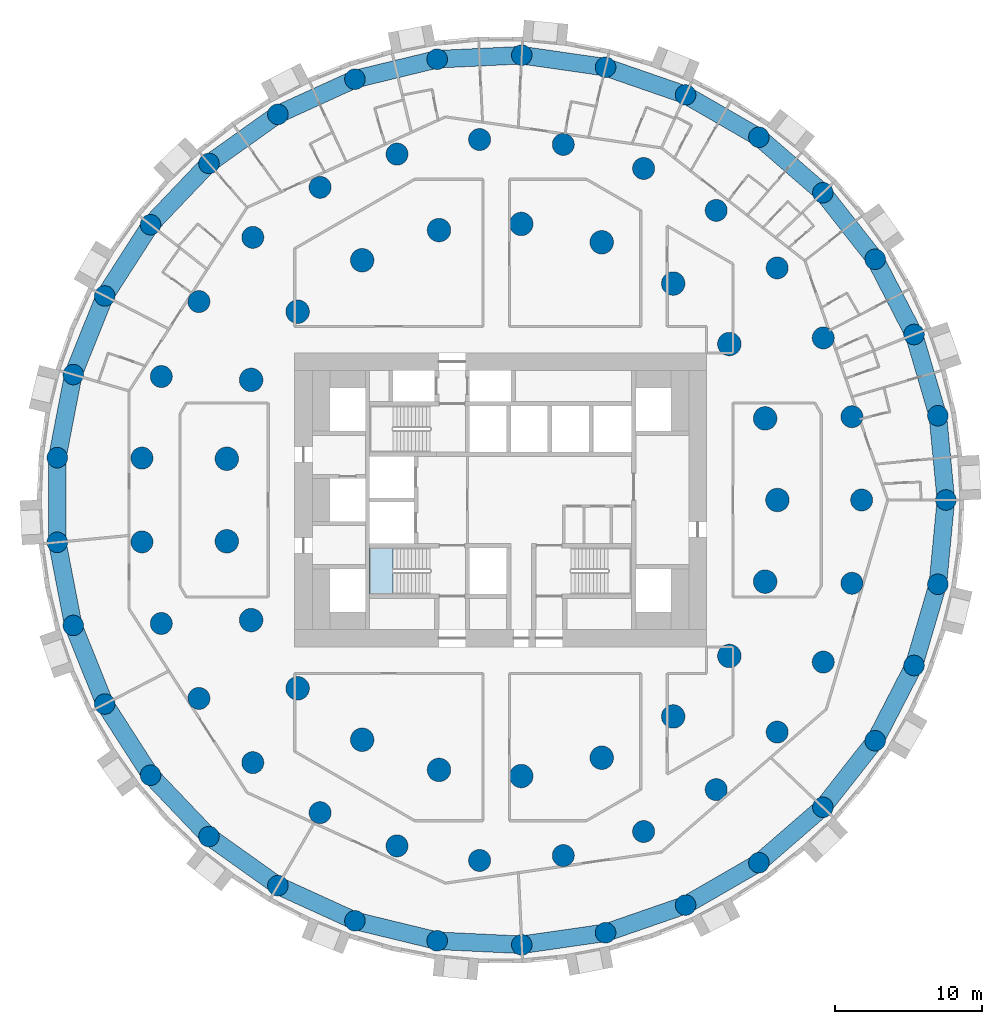
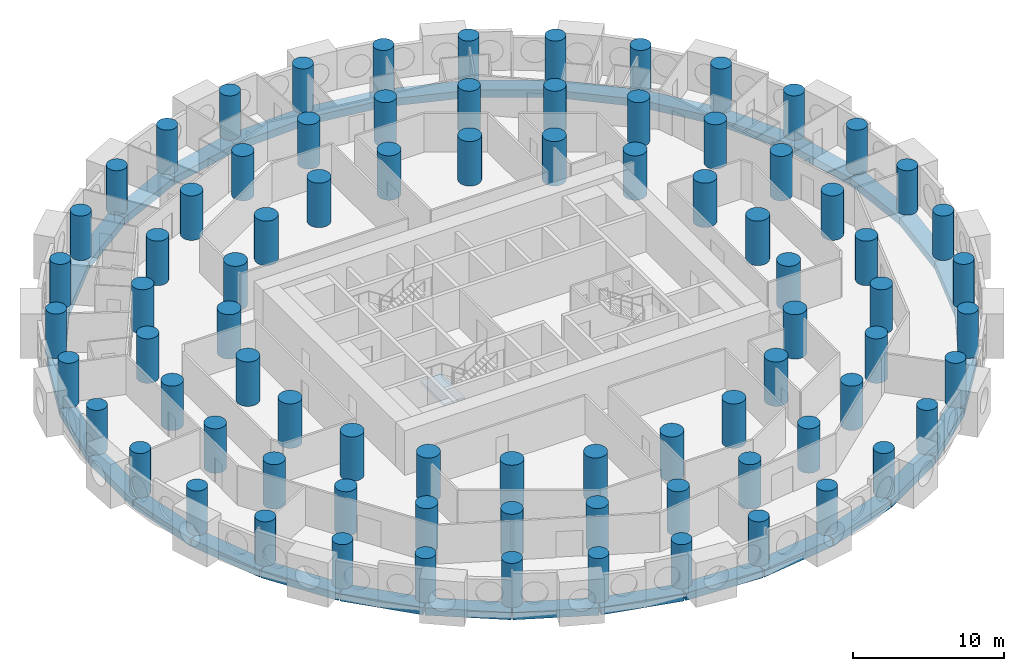
# One storey, part 1 of 12: 81 columns, 33 beams, 1 slab, 1 element without a shape of its own.
"""IFC4 building model written with IfcOpenShell, lengths in metres."""

from ifc_helpers import new_model, si_unit, direction, frame, origin, origin_2d, place, context, subcontext, project, spatial, polyline, rectangle, circle, outline, extrude, material, layer, layer_set, material_profile, profile_set, type_object, element, aggregate, save


model = new_model("IFC4")

# Units and contexts
model_context = context("Model", 3, precision=1e-05, world=origin(), true_north=direction((0.0, 1.0)))
body_context = subcontext(model_context, "Body", "Model", "MODEL_VIEW")
ifc_project = project(units=[si_unit("LENGTHUNIT", "METRE"), si_unit("AREAUNIT", "SQUARE_METRE"), si_unit("VOLUMEUNIT", "CUBIC_METRE"), si_unit("PLANEANGLEUNIT", "RADIAN"), si_unit("MASSUNIT", "GRAM", prefix="KILO")], contexts=[model_context])

# Site, building, storey
site_placement = place(None, origin())
site = spatial("IfcSite", under=ifc_project, at=site_placement, CompositionType="ELEMENT")
building_placement = place(site_placement, origin())
building = spatial("IfcBuilding", under=site, at=building_placement, Name="Tracery Tower", CompositionType="ELEMENT")
storey_placement = place(building_placement, frame((0.0, 0.0, 42.60009765625)))
storey = spatial("IfcBuildingStorey", under=building, at=storey_placement, Name="L09", CompositionType="ELEMENT", Elevation=42.60009765625)

# Columns
ifc_material_1 = material(Name="Concrete C60/75", Category="concrete")
ifc_material_profile_1 = material_profile(ifc_material_1, circle(Radius=0.699951171875, at=origin_2d()), Name="RC D1400")
ifc_profile_set_1 = profile_set([ifc_material_profile_1], Name="Concrete C60/75")
column_type_1 = type_object("IfcColumnType", Name="Ring 0 column 1400", PredefinedType="COLUMN", material=ifc_profile_set_1)
for number, where, z_axis, x_axis, name in (
    (1, (30.274658203125, 0.0, 0.0), (0.0, 0.0, 1.0), (1.0, 0.0, 0.0), "Ring 0 column 00 at L09"),
    (2, (29.7275390625, 5.7294921875, 0.0), (0.0, 0.0, 1.0), (1.0, 0.0, 0.0), "Ring 0 column 01 at L09"),
    (3, (28.10595703125, 11.251953125, 0.0), (0.0, 0.0, 1.0), (1.0, 0.0, 0.0), "Ring 0 column 02 at L09"),
    (4, (25.468505859375, 16.36767578125, 0.0), (0.0, 0.0, 1.0), (1.0, 0.0, 0.0), "Ring 0 column 03 at L09"),
    (5, (21.910888671875, 20.891845703125, 0.0), (0.0, 0.0, 1.0), (1.0, 0.0, 0.0), "Ring 0 column 04 at L09"),
    (6, (17.56103515625, 24.660888671875, 0.0), (0.0, 0.0, 1.0), (1.0, 0.0, 0.0), "Ring 0 column 05 at L09"),
    (7, (12.576416015625, 27.538818359375, 0.0), (0.0, 0.0, 1.0), (1.0, 0.0, 0.0), "Ring 0 column 06 at L09"),
    (8, (7.137451171875, 29.421142578125, 0.0), (0.0, 0.0, 1.0), (1.0, 0.0, 0.0), "Ring 0 column 07 at L09"),
    (9, (1.4404296875, 30.240234375, 0.0), (0.0, 0.0, 1.0), (1.0, 0.0, 0.0), "Ring 0 column 08 at L09"),
    (10, (-4.30859375, 29.96630859375, 0.0), (0.0, 0.0, 1.0), (1.0, 0.0, 0.0), "Ring 0 column 09 at L09"),
    (11, (-9.90185546875, 28.609619140625, 0.0), (0.0, 0.0, 1.0), (1.0, 0.0, 0.0), "Ring 0 column 10 at L09"),
    (12, (-15.13720703125, 26.218505859375, 0.0), (0.0, 0.0, 1.0), (1.0, 0.0, 0.0), "Ring 0 column 11 at L09"),
    (13, (-19.82568359375, 22.8798828125, 0.0), (0.0, 0.0, 1.0), (1.0, 0.0, 0.0), "Ring 0 column 12 at L09"),
    (14, (-23.79736328125, 18.714599609375, 0.0), (0.0, 0.0, 1.0), (1.0, 0.0, 0.0), "Ring 0 column 13 at L09"),
    (15, (-26.9091796875, 13.87255859375, 0.0), (0.0, 0.0, 1.0), (1.0, 0.0, 0.0), "Ring 0 column 14 at L09"),
    (16, (-29.04833984375, 8.529296875, 0.0), (0.0, 0.0, 1.0), (1.0, 0.0, 0.0), "Ring 0 column 15 at L09"),
    (17, (-30.137451171875, 2.877685546875, 0.0), (0.0, 0.0, 1.0), (1.0, 0.0, 0.0), "Ring 0 column 16 at L09"),
    (18, (-30.137451171875, -2.877685546875, 0.0), (0.0, 0.0, 1.0), (1.0, 0.0, 0.0), "Ring 0 column 17 at L09"),
    (19, (-29.04833984375, -8.529296875, 0.0), (0.0, 0.0, 1.0), (1.0, 0.0, 0.0), "Ring 0 column 18 at L09"),
    (20, (-26.9091796875, -13.87255859375, 0.0), (0.0, 0.0, 1.0), (1.0, 0.0, 0.0), "Ring 0 column 19 at L09"),
    (21, (-23.79736328125, -18.714599609375, 0.0), (0.0, 0.0, 1.0), (1.0, 0.0, 0.0), "Ring 0 column 20 at L09"),
    (22, (-19.82568359375, -22.8798828125, 0.0), (0.0, 0.0, 1.0), (1.0, 0.0, 0.0), "Ring 0 column 21 at L09"),
    (23, (-15.13720703125, -26.218505859375, 0.0), (0.0, 0.0, 1.0), (1.0, 0.0, 0.0), "Ring 0 column 22 at L09"),
    (24, (-9.90185546875, -28.609619140625, 0.0), (0.0, 0.0, 1.0), (1.0, 0.0, 0.0), "Ring 0 column 23 at L09"),
    (25, (-4.30859375, -29.96630859375, 0.0), (0.0, 0.0, 1.0), (1.0, 0.0, 0.0), "Ring 0 column 24 at L09"),
    (26, (1.4404296875, -30.240234375, 0.0), (0.0, 0.0, 1.0), (1.0, 0.0, 0.0), "Ring 0 column 25 at L09"),
    (27, (7.137451171875, -29.421142578125, 0.0), (0.0, 0.0, 1.0), (1.0, 0.0, 0.0), "Ring 0 column 26 at L09"),
    (28, (12.576416015625, -27.538818359375, 0.0), (0.0, 0.0, 1.0), (1.0, 0.0, 0.0), "Ring 0 column 27 at L09"),
    (29, (17.56103515625, -24.660888671875, 0.0), (0.0, 0.0, 1.0), (1.0, 0.0, 0.0), "Ring 0 column 28 at L09"),
    (30, (21.910888671875, -20.891845703125, 0.0), (0.0, 0.0, 1.0), (1.0, 0.0, 0.0), "Ring 0 column 29 at L09"),
    (31, (25.468505859375, -16.36767578125, 0.0), (0.0, 0.0, 1.0), (1.0, 0.0, 0.0), "Ring 0 column 30 at L09"),
    (32, (28.10595703125, -11.251953125, 0.0), (0.0, 0.0, 1.0), (1.0, 0.0, 0.0), "Ring 0 column 31 at L09"),
    (33, (29.7275390625, -5.7294921875, 0.0), (0.0, 0.0, 1.0), (1.0, 0.0, 0.0), "Ring 0 column 32 at L09"),
):
    element("IfcColumn", number, at=place(storey_placement, frame(where, z_axis=z_axis, x_axis=x_axis)), inside=storey, type_object=column_type_1, Name=name, PredefinedType="COLUMN", context=body_context, shape_type="SweptSolid", body=[
        extrude(circle(Radius=0.699951171875, at=origin_2d()), origin(), (0.0, 0.0, 1.0), 3.599853515625),
    ])
ifc_material_2 = material(Name="Concrete C60/75", Category="concrete")
ifc_material_profile_2 = material_profile(ifc_material_2, circle(Radius=0.75, at=origin_2d()), Name="RC D1500")
ifc_profile_set_2 = profile_set([ifc_material_profile_2], Name="Concrete C60/75")
column_type_2 = type_object("IfcColumnType", Name="Ring 1 column 1500", PredefinedType="COLUMN", material=ifc_profile_set_2)
for number, where, z_axis, x_axis, name in (
    (34, (24.547607421875, 0.0, 0.0), (0.0, 0.0, 1.0), (1.0, 0.0, 0.0), "Ring 1 column 00 at L09"),
    (35, (23.885986328125, 5.6611328125, 0.0), (0.0, 0.0, 1.0), (1.0, 0.0, 0.0), "Ring 1 column 01 at L09"),
    (36, (21.9365234375, 11.01708984375, 0.0), (0.0, 0.0, 1.0), (1.0, 0.0, 0.0), "Ring 1 column 02 at L09"),
    (37, (18.8046875, 15.779052734375, 0.0), (0.0, 0.0, 1.0), (1.0, 0.0, 0.0), "Ring 1 column 03 at L09"),
    (38, (14.658935546875, 19.690185546875, 0.0), (0.0, 0.0, 1.0), (1.0, 0.0, 0.0), "Ring 1 column 04 at L09"),
    (39, (9.722900390625, 22.5400390625, 0.0), (0.0, 0.0, 1.0), (1.0, 0.0, 0.0), "Ring 1 column 05 at L09"),
    (40, (4.2626953125, 24.1748046875, 0.0), (0.0, 0.0, 1.0), (1.0, 0.0, 0.0), "Ring 1 column 06 at L09"),
    (41, (-1.42724609375, 24.506103515625, 0.0), (0.0, 0.0, 1.0), (1.0, 0.0, 0.0), "Ring 1 column 07 at L09"),
    (42, (-7.040283203125, 23.516357421875, 0.0), (0.0, 0.0, 1.0), (1.0, 0.0, 0.0), "Ring 1 column 08 at L09"),
    (43, (-12.273681640625, 21.2587890625, 0.0), (0.0, 0.0, 1.0), (1.0, 0.0, 0.0), "Ring 1 column 09 at L09"),
    (44, (-16.845703125, 17.855224609375, 0.0), (0.0, 0.0, 1.0), (1.0, 0.0, 0.0), "Ring 1 column 10 at L09"),
    (45, (-20.50927734375, 13.4892578125, 0.0), (0.0, 0.0, 1.0), (1.0, 0.0, 0.0), "Ring 1 column 11 at L09"),
    (46, (-23.0673828125, 8.395751953125, 0.0), (0.0, 0.0, 1.0), (1.0, 0.0, 0.0), "Ring 1 column 12 at L09"),
    (47, (-24.381591796875, 2.849853515625, 0.0), (0.0, 0.0, 1.0), (1.0, 0.0, 0.0), "Ring 1 column 13 at L09"),
    (48, (-24.381591796875, -2.849853515625, 0.0), (0.0, 0.0, 1.0), (1.0, 0.0, 0.0), "Ring 1 column 14 at L09"),
    (49, (-23.0673828125, -8.395751953125, 0.0), (0.0, 0.0, 1.0), (1.0, 0.0, 0.0), "Ring 1 column 15 at L09"),
    (50, (-20.50927734375, -13.4892578125, 0.0), (0.0, 0.0, 1.0), (1.0, 0.0, 0.0), "Ring 1 column 16 at L09"),
    (51, (-16.845703125, -17.85546875, 0.0), (0.0, 0.0, 1.0), (1.0, 0.0, 0.0), "Ring 1 column 17 at L09"),
    (52, (-12.27392578125, -21.2587890625, 0.0), (0.0, 0.0, 1.0), (1.0, 0.0, 0.0), "Ring 1 column 18 at L09"),
    (53, (-7.040283203125, -23.516357421875, 0.0), (0.0, 0.0, 1.0), (1.0, 0.0, 0.0), "Ring 1 column 19 at L09"),
    (54, (-1.42724609375, -24.506103515625, 0.0), (0.0, 0.0, 1.0), (1.0, 0.0, 0.0), "Ring 1 column 20 at L09"),
    (55, (4.2626953125, -24.1748046875, 0.0), (0.0, 0.0, 1.0), (1.0, 0.0, 0.0), "Ring 1 column 21 at L09"),
    (56, (9.722900390625, -22.5400390625, 0.0), (0.0, 0.0, 1.0), (1.0, 0.0, 0.0), "Ring 1 column 22 at L09"),
    (57, (14.658935546875, -19.690185546875, 0.0), (0.0, 0.0, 1.0), (1.0, 0.0, 0.0), "Ring 1 column 23 at L09"),
    (58, (18.8046875, -15.779052734375, 0.0), (0.0, 0.0, 1.0), (1.0, 0.0, 0.0), "Ring 1 column 24 at L09"),
    (59, (21.9365234375, -11.01708984375, 0.0), (0.0, 0.0, 1.0), (1.0, 0.0, 0.0), "Ring 1 column 25 at L09"),
    (60, (23.885986328125, -5.6611328125, 0.0), (0.0, 0.0, 1.0), (1.0, 0.0, 0.0), "Ring 1 column 26 at L09"),
):
    element("IfcColumn", number, at=place(storey_placement, frame(where, z_axis=z_axis, x_axis=x_axis)), inside=storey, type_object=column_type_2, Name=name, PredefinedType="COLUMN", context=body_context, shape_type="SweptSolid", body=[
        extrude(circle(Radius=0.75, at=origin_2d()), origin(), (0.0, 0.0, 1.0), 3.599853515625),
    ])
ifc_material_3 = material(Name="Concrete C60/75", Category="concrete")
ifc_material_profile_3 = material_profile(ifc_material_3, circle(Radius=0.800048828125, at=origin_2d()), Name="RC D1600")
ifc_profile_set_3 = profile_set([ifc_material_profile_3], Name="Concrete C60/75")
column_type_3 = type_object("IfcColumnType", Name="Ring 2 column 1600", PredefinedType="COLUMN", material=ifc_profile_set_3)
for number, where, z_axis, x_axis, name in (
    (61, (18.822265625, 0.0, 0.0), (0.0, 0.0, 1.0), (1.0, 0.0, 0.0), "Ring 2 column 00 at L09"),
    (62, (17.986083984375, 5.5478515625, 0.0), (0.0, 0.0, 1.0), (1.0, 0.0, 0.0), "Ring 2 column 01 at L09"),
    (63, (15.551513671875, 10.602783203125, 0.0), (0.0, 0.0, 1.0), (1.0, 0.0, 0.0), "Ring 2 column 02 at L09"),
    (64, (11.7353515625, 14.7158203125, 0.0), (0.0, 0.0, 1.0), (1.0, 0.0, 0.0), "Ring 2 column 03 at L09"),
    (65, (6.87646484375, 17.52099609375, 0.0), (0.0, 0.0, 1.0), (1.0, 0.0, 0.0), "Ring 2 column 04 at L09"),
    (66, (1.406494140625, 18.76953125, 0.0), (0.0, 0.0, 1.0), (1.0, 0.0, 0.0), "Ring 2 column 05 at L09"),
    (67, (-4.188232421875, 18.350341796875, 0.0), (0.0, 0.0, 1.0), (1.0, 0.0, 0.0), "Ring 2 column 06 at L09"),
    (68, (-9.4111328125, 16.300537109375, 0.0), (0.0, 0.0, 1.0), (1.0, 0.0, 0.0), "Ring 2 column 07 at L09"),
    (69, (-13.797607421875, 12.802490234375, 0.0), (0.0, 0.0, 1.0), (1.0, 0.0, 0.0), "Ring 2 column 08 at L09"),
    (70, (-16.958251953125, 8.16650390625, 0.0), (0.0, 0.0, 1.0), (1.0, 0.0, 0.0), "Ring 2 column 09 at L09"),
    (71, (-18.612060546875, 2.805419921875, 0.0), (0.0, 0.0, 1.0), (1.0, 0.0, 0.0), "Ring 2 column 10 at L09"),
    (72, (-18.612060546875, -2.805419921875, 0.0), (0.0, 0.0, 1.0), (1.0, 0.0, 0.0), "Ring 2 column 11 at L09"),
    (73, (-16.958251953125, -8.166748046875, 0.0), (0.0, 0.0, 1.0), (1.0, 0.0, 0.0), "Ring 2 column 12 at L09"),
    (74, (-13.797607421875, -12.80224609375, 0.0), (0.0, 0.0, 1.0), (1.0, 0.0, 0.0), "Ring 2 column 13 at L09"),
    (75, (-9.4111328125, -16.300537109375, 0.0), (0.0, 0.0, 1.0), (1.0, 0.0, 0.0), "Ring 2 column 14 at L09"),
    (76, (-4.188232421875, -18.350341796875, 0.0), (0.0, 0.0, 1.0), (1.0, 0.0, 0.0), "Ring 2 column 15 at L09"),
    (77, (1.406494140625, -18.76953125, 0.0), (0.0, 0.0, 1.0), (1.0, 0.0, 0.0), "Ring 2 column 16 at L09"),
    (78, (6.87646484375, -17.52099609375, 0.0), (0.0, 0.0, 1.0), (1.0, 0.0, 0.0), "Ring 2 column 17 at L09"),
    (79, (11.7353515625, -14.7158203125, 0.0), (0.0, 0.0, 1.0), (1.0, 0.0, 0.0), "Ring 2 column 18 at L09"),
    (80, (15.551513671875, -10.602783203125, 0.0), (0.0, 0.0, 1.0), (1.0, 0.0, 0.0), "Ring 2 column 19 at L09"),
    (81, (17.986083984375, -5.5478515625, 0.0), (0.0, 0.0, 1.0), (1.0, 0.0, 0.0), "Ring 2 column 20 at L09"),
):
    element("IfcColumn", number, at=place(storey_placement, frame(where, z_axis=z_axis, x_axis=x_axis)), inside=storey, type_object=column_type_3, Name=name, PredefinedType="COLUMN", context=body_context, shape_type="SweptSolid", body=[
        extrude(circle(Radius=0.800048828125, at=origin_2d()), origin(), (0.0, 0.0, 1.0), 3.599853515625),
    ])

# Beams
ifc_material_4 = material(Name="Concrete C60/75", Category="concrete")
ifc_material_profile_4 = material_profile(ifc_material_4, rectangle(XDim=1.199951171875, YDim=0.60009765625, at=origin_2d()), Name="RC 1200x600")
ifc_profile_set_4 = profile_set([ifc_material_profile_4], Name="Concrete C60/75")
beam_type = type_object("IfcBeamType", Name="Perimeter band beam 1200x600", PredefinedType="BEAM", material=ifc_profile_set_4)
for number, where, z_axis, x_axis, name in (
    (82, (30.274658203125, 0.0, -0.75), (-0.095059309677, 0.995471610667, 0.0), (-0.995471610667, -0.095059309677, 0.0), "Perimeter beam 0.00 under L09"),
    (83, (29.7275390625, 5.7294921875, -0.75), (-0.281739145896, 0.959491038869, 0.0), (-0.959491038869, -0.281739145896, 0.0), "Perimeter beam 0.01 under L09"),
    (84, (28.10595703125, 11.251953125, -0.75), (-0.458242010493, 0.88882746347, 0.0), (-0.88882746347, -0.458242010493, 0.0), "Perimeter beam 0.02 under L09"),
):
    element("IfcBeam", number, at=place(storey_placement, frame(where, z_axis=z_axis, x_axis=x_axis)), inside=storey, type_object=beam_type, Name=name, PredefinedType="BEAM", context=body_context, shape_type="SweptSolid", body=[
        extrude(rectangle(XDim=1.199951171875, YDim=0.60009765625, at=origin_2d()), origin(), (0.0, 0.0, 1.0), 5.755615234375),
    ])
beam_1_placement = place(storey_placement, frame((25.468505859375, 16.36767578125, -0.75), z_axis=(-0.618134362257, 0.786072458618, 0.0), x_axis=(-0.786072458618, -0.618134362257, 0.0)))
element("IfcBeam", 85, at=beam_1_placement, inside=storey, type_object=beam_type, Name="Perimeter beam 0.03 under L09", PredefinedType="BEAM", context=body_context, shape_type="SweptSolid", body=[
    extrude(rectangle(XDim=1.199951171875, YDim=0.60009765625, at=origin_2d()), origin(), (0.0, 0.0, 1.0), 5.75537109375),
])
beam_2_placement = place(storey_placement, frame((21.910888671875, 20.891845703125, -0.75), z_axis=(-0.755760456715, 0.65484817482, 0.0), x_axis=(-0.65484817482, -0.755760456715, 0.0)))
element("IfcBeam", 86, at=beam_2_placement, inside=storey, type_object=beam_type, Name="Perimeter beam 0.04 under L09", PredefinedType="BEAM", context=body_context, shape_type="SweptSolid", body=[
    extrude(rectangle(XDim=1.199951171875, YDim=0.60009765625, at=origin_2d()), origin(), (0.0, 0.0, 1.0), 5.755615234375),
])
beam_3_placement = place(storey_placement, frame((17.56103515625, 24.660888671875, -0.75), z_axis=(-0.866021003874, 0.50000762079, 0.0), x_axis=(-0.50000762079, -0.866021003874, 0.0)))
element("IfcBeam", 87, at=beam_3_placement, inside=storey, type_object=beam_type, Name="Perimeter beam 0.05 under L09", PredefinedType="BEAM", context=body_context, shape_type="SweptSolid", body=[
    extrude(rectangle(XDim=1.199951171875, YDim=0.60009765625, at=origin_2d()), origin(), (0.0, 0.0, 1.0), 5.755859375),
])
beam_4_placement = place(storey_placement, frame((12.576416015625, 27.538818359375, -0.75), z_axis=(-0.945007252869, 0.327049372458, 0.0), x_axis=(-0.327049372458, -0.945007252869, 0.0)))
element("IfcBeam", 88, at=beam_4_placement, inside=storey, type_object=beam_type, Name="Perimeter beam 0.06 under L09", PredefinedType="BEAM", context=body_context, shape_type="SweptSolid", body=[
    extrude(rectangle(XDim=1.199951171875, YDim=0.60009765625, at=origin_2d()), origin(), (0.0, 0.0, 1.0), 5.75537109375),
])
for number, where, z_axis, x_axis, name in (
    (89, (7.137451171875, 29.421142578125, -0.75), (-0.989821839174, 0.142312075013, 0.0), (-0.142312075013, -0.989821839174, 0.0), "Perimeter beam 0.07 under L09"),
    (90, (1.4404296875, 30.240234375, -0.75), (-0.998866793759, -0.047593364303, 0.0), (0.047593364303, -0.998866793759, 0.0), "Perimeter beam 0.08 under L09"),
):
    element("IfcBeam", number, at=place(storey_placement, frame(where, z_axis=z_axis, x_axis=x_axis)), inside=storey, type_object=beam_type, Name=name, PredefinedType="BEAM", context=body_context, shape_type="SweptSolid", body=[
        extrude(rectangle(XDim=1.199951171875, YDim=0.60009765625, at=origin_2d()), origin(), (0.0, 0.0, 1.0), 5.755615234375),
    ])
beam_5_placement = place(storey_placement, frame((-4.30859375, 29.96630859375, -0.75), z_axis=(-0.971820371509, -0.235722645328, 0.0), x_axis=(0.235722645328, -0.971820371509, 0.0)))
element("IfcBeam", 91, at=beam_5_placement, inside=storey, type_object=beam_type, Name="Perimeter beam 0.09 under L09", PredefinedType="BEAM", context=body_context, shape_type="SweptSolid", body=[
    extrude(rectangle(XDim=1.199951171875, YDim=0.60009765625, at=origin_2d()), origin(), (0.0, 0.0, 1.0), 5.75537109375),
])
for number, where, z_axis, x_axis, name in (
    (92, (-9.90185546875, 28.609619140625, -0.75), (-0.909618316865, -0.415444963411, 0.0), (0.415444963411, -0.909618316865, 0.0), "Perimeter beam 0.10 under L09"),
    (93, (-15.13720703125, 26.218505859375, -0.75), (-0.8145780864, -0.580053912285, 0.0), (0.580053912285, -0.8145780864, 0.0), "Perimeter beam 0.11 under L09"),
):
    element("IfcBeam", number, at=place(storey_placement, frame(where, z_axis=z_axis, x_axis=x_axis)), inside=storey, type_object=beam_type, Name=name, PredefinedType="BEAM", context=body_context, shape_type="SweptSolid", body=[
        extrude(rectangle(XDim=1.199951171875, YDim=0.60009765625, at=origin_2d()), origin(), (0.0, 0.0, 1.0), 5.755615234375),
    ])
beam_6_placement = place(storey_placement, frame((-19.82568359375, 22.8798828125, -0.75), z_axis=(-0.690087218267, -0.723726212863, 0.0), x_axis=(0.723726212863, -0.690087218267, 0.0)))
element("IfcBeam", 94, at=beam_6_placement, inside=storey, type_object=beam_type, Name="Perimeter beam 0.12 under L09", PredefinedType="BEAM", context=body_context, shape_type="SweptSolid", body=[
    extrude(rectangle(XDim=1.199951171875, YDim=0.60009765625, at=origin_2d()), origin(), (0.0, 0.0, 1.0), 5.75537109375),
])
beam_7_placement = place(storey_placement, frame((-23.79736328125, 18.714599609375, -0.75), z_axis=(-0.540643964602, -0.841251510274, 0.0), x_axis=(0.841251510274, -0.540643964602, 0.0)))
element("IfcBeam", 95, at=beam_7_placement, inside=storey, type_object=beam_type, Name="Perimeter beam 0.13 under L09", PredefinedType="BEAM", context=body_context, shape_type="SweptSolid", body=[
    extrude(rectangle(XDim=1.199951171875, YDim=0.60009765625, at=origin_2d()), origin(), (0.0, 0.0, 1.0), 5.755859375),
])
for number, where, z_axis, x_axis, name in (
    (96, (-26.9091796875, 13.87255859375, -0.75), (-0.371668572289, -0.928365484264, 0.0), (0.928365484264, -0.371668572289, 0.0), "Perimeter beam 0.14 under L09"),
    (97, (-29.04833984375, 8.529296875, -0.75), (-0.189226539295, -0.981933458451, 0.0), (0.981933458451, -0.189226539295, 0.0), "Perimeter beam 0.15 under L09"),
):
    element("IfcBeam", number, at=place(storey_placement, frame(where, z_axis=z_axis, x_axis=x_axis)), inside=storey, type_object=beam_type, Name=name, PredefinedType="BEAM", context=body_context, shape_type="SweptSolid", body=[
        extrude(rectangle(XDim=1.199951171875, YDim=0.60009765625, at=origin_2d()), origin(), (0.0, 0.0, 1.0), 5.755615234375),
    ])
beam_8_placement = place(storey_placement, frame((-30.137451171875, 2.877685546875, -0.75), z_axis=(0.0, -1.0, 0.0), x_axis=(1.0, 0.0, 0.0)))
element("IfcBeam", 98, at=beam_8_placement, inside=storey, type_object=beam_type, Name="Perimeter beam 0.16 under L09", PredefinedType="BEAM", context=body_context, shape_type="SweptSolid", body=[
    extrude(rectangle(XDim=1.199951171875, YDim=0.60009765625, at=origin_2d()), origin(), (0.0, 0.0, 1.0), 5.75537109375),
])
for number, where, z_axis, x_axis, name in (
    (99, (-30.137451171875, -2.877685546875, -0.75), (0.189226539295, -0.981933458451, 0.0), (0.981933458451, 0.189226539295, 0.0), "Perimeter beam 0.17 under L09"),
    (100, (-29.04833984375, -8.529296875, -0.75), (0.371668572289, -0.928365484264, 0.0), (0.928365484264, 0.371668572289, 0.0), "Perimeter beam 0.18 under L09"),
):
    element("IfcBeam", number, at=place(storey_placement, frame(where, z_axis=z_axis, x_axis=x_axis)), inside=storey, type_object=beam_type, Name=name, PredefinedType="BEAM", context=body_context, shape_type="SweptSolid", body=[
        extrude(rectangle(XDim=1.199951171875, YDim=0.60009765625, at=origin_2d()), origin(), (0.0, 0.0, 1.0), 5.755615234375),
    ])
beam_9_placement = place(storey_placement, frame((-26.9091796875, -13.87255859375, -0.75), z_axis=(0.540643964602, -0.841251510274, 0.0), x_axis=(0.841251510274, 0.540643964602, 0.0)))
element("IfcBeam", 101, at=beam_9_placement, inside=storey, type_object=beam_type, Name="Perimeter beam 0.19 under L09", PredefinedType="BEAM", context=body_context, shape_type="SweptSolid", body=[
    extrude(rectangle(XDim=1.199951171875, YDim=0.60009765625, at=origin_2d()), origin(), (0.0, 0.0, 1.0), 5.755859375),
])
beam_10_placement = place(storey_placement, frame((-23.79736328125, -18.714599609375, -0.75), z_axis=(0.690087218267, -0.723726212863, 0.0), x_axis=(0.723726212863, 0.690087218267, 0.0)))
element("IfcBeam", 102, at=beam_10_placement, inside=storey, type_object=beam_type, Name="Perimeter beam 0.20 under L09", PredefinedType="BEAM", context=body_context, shape_type="SweptSolid", body=[
    extrude(rectangle(XDim=1.199951171875, YDim=0.60009765625, at=origin_2d()), origin(), (0.0, 0.0, 1.0), 5.75537109375),
])
for number, where, z_axis, x_axis, name in (
    (103, (-19.82568359375, -22.8798828125, -0.75), (0.8145780864, -0.580053912285, 0.0), (0.580053912285, 0.8145780864, 0.0), "Perimeter beam 0.21 under L09"),
    (104, (-15.13720703125, -26.218505859375, -0.75), (0.909618316865, -0.415444963411, 0.0), (0.415444963411, 0.909618316865, 0.0), "Perimeter beam 0.22 under L09"),
):
    element("IfcBeam", number, at=place(storey_placement, frame(where, z_axis=z_axis, x_axis=x_axis)), inside=storey, type_object=beam_type, Name=name, PredefinedType="BEAM", context=body_context, shape_type="SweptSolid", body=[
        extrude(rectangle(XDim=1.199951171875, YDim=0.60009765625, at=origin_2d()), origin(), (0.0, 0.0, 1.0), 5.755615234375),
    ])
beam_11_placement = place(storey_placement, frame((-9.90185546875, -28.609619140625, -0.75), z_axis=(0.971820371509, -0.235722645328, 0.0), x_axis=(0.235722645328, 0.971820371509, 0.0)))
element("IfcBeam", 105, at=beam_11_placement, inside=storey, type_object=beam_type, Name="Perimeter beam 0.23 under L09", PredefinedType="BEAM", context=body_context, shape_type="SweptSolid", body=[
    extrude(rectangle(XDim=1.199951171875, YDim=0.60009765625, at=origin_2d()), origin(), (0.0, 0.0, 1.0), 5.75537109375),
])
for number, where, z_axis, x_axis, name in (
    (106, (-4.30859375, -29.96630859375, -0.75), (0.998866793759, -0.047593364303, 0.0), (0.047593364303, 0.998866793759, 0.0), "Perimeter beam 0.24 under L09"),
    (107, (1.4404296875, -30.240234375, -0.75), (0.989821839174, 0.142312075013, 0.0), (-0.142312075013, 0.989821839174, 0.0), "Perimeter beam 0.25 under L09"),
):
    element("IfcBeam", number, at=place(storey_placement, frame(where, z_axis=z_axis, x_axis=x_axis)), inside=storey, type_object=beam_type, Name=name, PredefinedType="BEAM", context=body_context, shape_type="SweptSolid", body=[
        extrude(rectangle(XDim=1.199951171875, YDim=0.60009765625, at=origin_2d()), origin(), (0.0, 0.0, 1.0), 5.755615234375),
    ])
beam_12_placement = place(storey_placement, frame((7.137451171875, -29.421142578125, -0.75), z_axis=(0.945007252869, 0.327049372458, 0.0), x_axis=(-0.327049372458, 0.945007252869, 0.0)))
element("IfcBeam", 108, at=beam_12_placement, inside=storey, type_object=beam_type, Name="Perimeter beam 0.26 under L09", PredefinedType="BEAM", context=body_context, shape_type="SweptSolid", body=[
    extrude(rectangle(XDim=1.199951171875, YDim=0.60009765625, at=origin_2d()), origin(), (0.0, 0.0, 1.0), 5.75537109375),
])
beam_13_placement = place(storey_placement, frame((12.576416015625, -27.538818359375, -0.75), z_axis=(0.866021003874, 0.50000762079, 0.0), x_axis=(-0.50000762079, 0.866021003874, 0.0)))
element("IfcBeam", 109, at=beam_13_placement, inside=storey, type_object=beam_type, Name="Perimeter beam 0.27 under L09", PredefinedType="BEAM", context=body_context, shape_type="SweptSolid", body=[
    extrude(rectangle(XDim=1.199951171875, YDim=0.60009765625, at=origin_2d()), origin(), (0.0, 0.0, 1.0), 5.755859375),
])
beam_14_placement = place(storey_placement, frame((17.56103515625, -24.660888671875, -0.75), z_axis=(0.755760456715, 0.65484817482, 0.0), x_axis=(-0.65484817482, 0.755760456715, 0.0)))
element("IfcBeam", 110, at=beam_14_placement, inside=storey, type_object=beam_type, Name="Perimeter beam 0.28 under L09", PredefinedType="BEAM", context=body_context, shape_type="SweptSolid", body=[
    extrude(rectangle(XDim=1.199951171875, YDim=0.60009765625, at=origin_2d()), origin(), (0.0, 0.0, 1.0), 5.755615234375),
])
beam_15_placement = place(storey_placement, frame((21.910888671875, -20.891845703125, -0.75), z_axis=(0.618134362257, 0.786072458618, 0.0), x_axis=(-0.786072458618, 0.618134362257, 0.0)))
element("IfcBeam", 111, at=beam_15_placement, inside=storey, type_object=beam_type, Name="Perimeter beam 0.29 under L09", PredefinedType="BEAM", context=body_context, shape_type="SweptSolid", body=[
    extrude(rectangle(XDim=1.199951171875, YDim=0.60009765625, at=origin_2d()), origin(), (0.0, 0.0, 1.0), 5.75537109375),
])
for number, where, z_axis, x_axis, name in (
    (112, (25.468505859375, -16.36767578125, -0.75), (0.458242010493, 0.88882746347, 0.0), (-0.88882746347, 0.458242010493, 0.0), "Perimeter beam 0.30 under L09"),
    (113, (28.10595703125, -11.251953125, -0.75), (0.281739145896, 0.959491038869, 0.0), (-0.959491038869, 0.281739145896, 0.0), "Perimeter beam 0.31 under L09"),
    (114, (29.7275390625, -5.7294921875, -0.75), (0.095059309677, 0.995471610667, 0.0), (-0.995471610667, 0.095059309677, 0.0), "Perimeter beam 0.32 under L09"),
):
    element("IfcBeam", number, at=place(storey_placement, frame(where, z_axis=z_axis, x_axis=x_axis)), inside=storey, type_object=beam_type, Name=name, PredefinedType="BEAM", context=body_context, shape_type="SweptSolid", body=[
        extrude(rectangle(XDim=1.199951171875, YDim=0.60009765625, at=origin_2d()), origin(), (0.0, 0.0, 1.0), 5.755615234375),
    ])

# Stair, slab
ifc_material_5 = material(Name="Concrete C32/40", Category="concrete")
stair_type = type_object("IfcStairType", Name="Core stair 22 risers", PredefinedType="HALF_TURN_STAIR", material=ifc_material_5)
stair_placement = place(storey_placement, origin())
stair = element("IfcStair", 115, at=stair_placement, inside=storey, type_object=stair_type, Name="L09 stair ST1", PredefinedType="HALF_TURN_STAIR")
ifc_material_6 = material(Name="Concrete C32/40", Category="concrete")
ifc_layer = layer(ifc_material_6, 0.199951171875)
ifc_layer_set = layer_set([ifc_layer], Name="Stair landing slab 200")
slab_type = type_object("IfcSlabType", Name="Stair landing slab 200", PredefinedType="LANDING", material=ifc_layer_set)
slab_placement = place(storey_placement, frame((0.0, 0.0, 1.599853515625)))
slab = element("IfcSlab", 116, at=slab_placement, type_object=slab_type, Name="ST1 landing 1", PredefinedType="LANDING", context=body_context, shape_type="SweptSolid", body=[
    extrude(outline(polyline([(-7.29931640625, -3.25), (-8.89990234375, -3.25), (-8.89990234375, -6.39990234375), (-7.29931640625, -6.39990234375), (-7.29931640625, -3.25)])), origin(), (0.0, 0.0, 1.0), 0.199951171875),
])
aggregate(stair, [slab])

save(model, "model.ifc")
